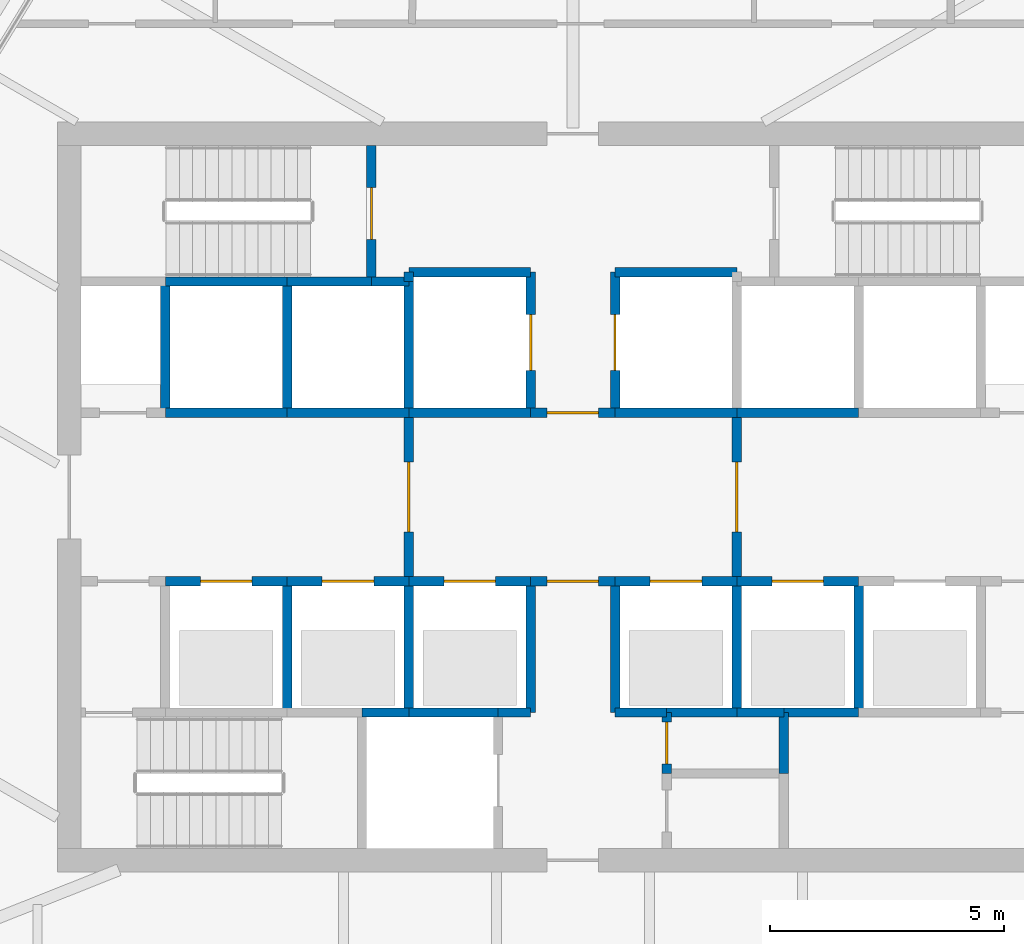
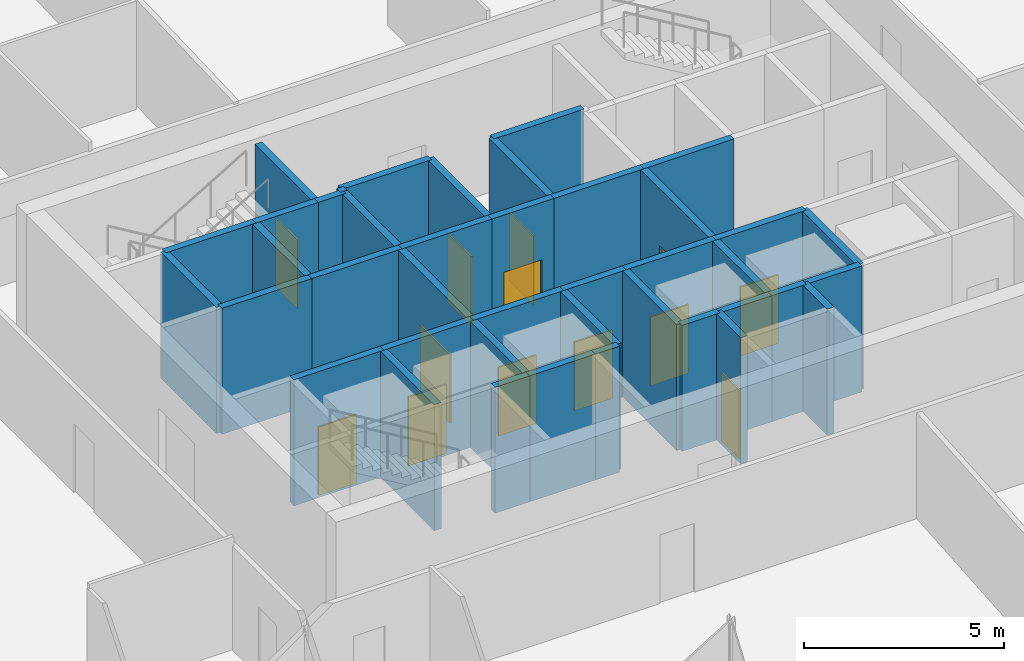
# One storey, part 10 of 18: 41 walls, 13 doors, 13 openings.
"""IFC4 building model written with IfcOpenShell, lengths in metres."""

import ifcopenshell
import ifcopenshell.guid

model = None  # the IFC model being written
_history = None  # IfcOwnerHistory: only IFC2X3 demands one
_inside = {}  # id of a spatial element -> (the spatial element, [elements in it])
_under = {}  # id of a project, library or spatial element -> (it, [spatial elements below it])
_declared = {}  # id of a project -> (the project, [libraries it declares])
_typed = {}  # id of a type object -> (the type object, [elements of that type])
_made_of = {}  # id of a material, layer set ... -> (it, [elements and type objects made of it])


def new_model(schema):
    """Start an empty IFC model of exactly this schema.

    Asked for "IFC4X3", IfcOpenShell would pick the latest addendum, in which some entities
    have other attributes; the version numbers below select the first issue.
    IFC2X3 requires an IfcOwnerHistory on every rooted entity: one is made here for all.
    """
    global model, _history
    if schema == "IFC4X3":
        model = ifcopenshell.file(schema_version=(4, 3, 0, 0))
    else:
        model = ifcopenshell.file(schema=schema)
    _inside.clear()
    _under.clear()
    _declared.clear()
    _typed.clear()
    _made_of.clear()
    _history = None
    if model.schema == "IFC2X3":
        org = make("IfcOrganization", Name="unknown")
        user = make(
            "IfcPersonAndOrganization",
            ThePerson=make("IfcPerson", FamilyName="unknown"),
            TheOrganization=org,
        )
        app = make(
            "IfcApplication",
            ApplicationDeveloper=org,
            Version="unknown",
            ApplicationFullName="unknown",
            ApplicationIdentifier="unknown",
        )
        _history = make(
            "IfcOwnerHistory",
            OwningUser=user,
            OwningApplication=app,
            ChangeAction="ADDED",
            CreationDate=0,
        )
    return model


def make(cls, **values):
    """One entity of the class cls with the attributes given. An attribute that is None is left unset."""
    return model.create_entity(
        cls, **{name: value for name, value in values.items() if value is not None}
    )


def rooted(cls, **values):
    """An entity with a GlobalId (a new one), such as an element, a storey or a relation."""
    return make(cls, GlobalId=ifcopenshell.guid.new(), OwnerHistory=_history, **values)


def si_unit(unit_type, name, prefix=None):
    """IfcSIUnit, for example si_unit("LENGTHUNIT", "METRE", prefix="MILLI")."""
    return make("IfcSIUnit", UnitType=unit_type, Prefix=prefix, Name=name)


def assignment(units):
    """IfcUnitAssignment: the units of a project."""
    return None if units is None else make("IfcUnitAssignment", Units=units)


def point(xyz):
    """IfcCartesianPoint."""
    return None if xyz is None else make("IfcCartesianPoint", Coordinates=xyz)


def direction(xyz):
    """IfcDirection."""
    return None if xyz is None else make("IfcDirection", DirectionRatios=xyz)


def frame(location, z_axis=None, x_axis=None):
    """IfcAxis2Placement3D, a coordinate frame: its origin and axes. An axis left out is left unset."""
    return make(
        "IfcAxis2Placement3D",
        Location=point(location),
        Axis=direction(z_axis),
        RefDirection=direction(x_axis),
    )


def frame_2d(location, x_axis=None):
    """IfcAxis2Placement2D, a coordinate frame in the plane: its origin and x axis."""
    return make(
        "IfcAxis2Placement2D", Location=point(location), RefDirection=direction(x_axis)
    )


def origin():
    """The frame at (0, 0, 0) with its axes left unset."""
    return frame((0.0, 0.0, 0.0))


def place(relative_to, where):
    """IfcLocalPlacement: puts the frame where relative to a parent placement (None: the world)."""
    return make(
        "IfcLocalPlacement", PlacementRelTo=relative_to, RelativePlacement=where
    )


def context(
    kind, dimensions, precision=None, world=None, true_north=None, identifier=None
):
    """IfcGeometricRepresentationContext, for example the 3D "Model" context."""
    return make(
        "IfcGeometricRepresentationContext",
        ContextIdentifier=identifier,
        ContextType=kind,
        CoordinateSpaceDimension=dimensions,
        Precision=precision,
        WorldCoordinateSystem=world,
        TrueNorth=true_north,
    )


def subcontext(parent, identifier, kind, view, scale=None):
    """IfcGeometricRepresentationSubContext, for example "Body" below "Model"."""
    return make(
        "IfcGeometricRepresentationSubContext",
        ContextIdentifier=identifier,
        ContextType=kind,
        ParentContext=parent,
        TargetScale=scale,
        TargetView=view,
    )


def project(units=None, contexts=None):
    """IfcProject with its units and contexts."""
    return rooted(
        "IfcProject",
        Name="project",
        RepresentationContexts=contexts,
        UnitsInContext=assignment(units),
    )


def spatial(cls, under=None, at=None, **own):
    """A site, building, storey or space (cls), placed at a placement, below another one or the project."""
    s = rooted(cls, ObjectPlacement=at, **own)
    if under is not None:
        _under.setdefault(under.id(), (under, []))[1].append(s)
    return s


def profile(cls, at=None, kind="AREA", **sizes):
    """A parametric profile (cls). Its sizes go by their IFC names, for example OverallWidth=200.0."""
    return make(cls, ProfileType=kind, Position=at, **sizes)


def rectangle(**sizes):
    """IfcRectangleProfileDef."""
    return profile("IfcRectangleProfileDef", **sizes)


def extrude(swept, where, along, depth):
    """IfcExtrudedAreaSolid: the profile swept, set in the frame where, extruded along a direction by depth."""
    return make(
        "IfcExtrudedAreaSolid",
        SweptArea=swept,
        Position=where,
        ExtrudedDirection=direction(along),
        Depth=depth,
    )


def shape(context_of_items, identifier, shape_type, items):
    """IfcShapeRepresentation: the items that make up one representation, for example the "Body"."""
    return make(
        "IfcShapeRepresentation",
        ContextOfItems=context_of_items,
        RepresentationIdentifier=identifier,
        RepresentationType=shape_type,
        Items=items,
    )


def material(Name=None, Category=None):
    """IfcMaterial."""
    return make("IfcMaterial", Name=Name, Category=Category)


def layer(
    of_material, thickness, ventilated=None, Name=None, Category=None, Priority=None
):
    """IfcMaterialLayer: one layer of a wall or slab, of a material (None: an air gap)."""
    return make(
        "IfcMaterialLayer",
        Material=of_material,
        LayerThickness=thickness,
        IsVentilated=ventilated,
        Name=Name,
        Category=Category,
        Priority=Priority,
    )


def layer_set(layers, Name=None):
    """IfcMaterialLayerSet."""
    return make("IfcMaterialLayerSet", MaterialLayers=layers, LayerSetName=Name)


def made_of(thing, what):
    """Note that an element or type object is made of a material, layer set ...; save() writes the relation."""
    if what is not None:
        _made_of.setdefault(what.id(), (what, []))[1].append(thing)
    return thing


def type_object(cls, material=None, **own):
    """A type object (cls), such as IfcWallType, which elements share."""
    return made_of(rooted(cls, **own), material)


def element(
    cls,
    number,
    at=None,
    inside=None,
    cuts=None,
    type_object=None,
    material=None,
    context=None,
    identifier="Body",
    shape_type=None,
    held_by="IfcProductDefinitionShape",
    body=None,
    shapes=None,
    **own,
):
    """One element of the class cls, such as IfcWall. Its Tag is "e" and its number.

    at: its placement. inside: the storey or other place that contains it. cuts: it is an
    opening in that element (IfcRelVoidsElement). A single representation is given by context,
    identifier, shape_type and body (its items); several are given by shapes. held_by: the class
    of the entity that holds the representations. save() writes the other relations.
    """
    e = rooted(cls, Tag="e%d" % number, ObjectPlacement=at, **own)
    if body is not None:
        shapes = [shape(context, identifier, shape_type, body)]
    if shapes is not None:
        e.Representation = make(held_by, Representations=shapes)
    if inside is not None:
        _inside.setdefault(inside.id(), (inside, []))[1].append(e)
    if cuts is not None:
        rooted(
            "IfcRelVoidsElement", RelatingBuildingElement=cuts, RelatedOpeningElement=e
        )
    if type_object is not None:
        _typed.setdefault(type_object.id(), (type_object, []))[1].append(e)
    return made_of(e, material)


def fill(opening, filler):
    """IfcRelFillsElement: the door or window that sits in an opening."""
    return rooted(
        "IfcRelFillsElement",
        RelatingOpeningElement=opening,
        RelatedBuildingElement=filler,
    )


def aggregate(whole, parts):
    """IfcRelAggregates: a whole, such as a stair, and the parts it consists of."""
    return rooted("IfcRelAggregates", RelatingObject=whole, RelatedObjects=parts)


def save(model, path):
    """Write the relations noted so far, then the file.

    IfcRelAggregates (storeys below a building ...), IfcRelContainedInSpatialStructure (elements
    in a storey), IfcRelDefinesByType, IfcRelAssociatesMaterial and IfcRelDeclares: one each for
    every whole, place, type object, material and project.
    """
    for whole, parts in _under.values():
        aggregate(whole, parts)
    for where, things in _inside.values():
        rooted(
            "IfcRelContainedInSpatialStructure",
            RelatedElements=things,
            RelatingStructure=where,
        )
    for kind, things in _typed.values():
        rooted("IfcRelDefinesByType", RelatedObjects=things, RelatingType=kind)
    for what, things in _made_of.values():
        rooted("IfcRelAssociatesMaterial", RelatedObjects=things, RelatingMaterial=what)
    for by, libraries in _declared.values():
        rooted("IfcRelDeclares", RelatingContext=by, RelatedDefinitions=libraries)
    model.write(path)


model = new_model("IFC4")

# Units and contexts
model_context = context("Model", 3, precision=1e-05, world=origin(), true_north=direction((0.0, 1.0)))
body_context = subcontext(model_context, "Body", "Model", "MODEL_VIEW")
ifc_project = project(units=[si_unit("LENGTHUNIT", "METRE"), si_unit("AREAUNIT", "SQUARE_METRE"), si_unit("VOLUMEUNIT", "CUBIC_METRE"), si_unit("PLANEANGLEUNIT", "RADIAN"), si_unit("MASSUNIT", "GRAM", prefix="KILO")], contexts=[model_context])

# Site, building, storey
site_placement = place(None, origin())
site = spatial("IfcSite", under=ifc_project, at=site_placement, CompositionType="ELEMENT")
building_placement = place(site_placement, origin())
building = spatial("IfcBuilding", under=site, at=building_placement, Name="Sierra Prisma Convention Tower", CompositionType="ELEMENT")
storey_placement = place(building_placement, frame((0.0, 0.0, 205.800048828125)))
storey = spatial("IfcBuildingStorey", under=building, at=storey_placement, Name="L46", CompositionType="ELEMENT", Elevation=205.800048828125)

# Wall, opening, door
ifc_material_1 = material(Name="Concrete C30/37", Category="concrete")
ifc_layer = layer(ifc_material_1, 0.199951171875)
ifc_layer_set = layer_set([ifc_layer], Name="Core wall RC 200 C30/37")
wall_type = type_object("IfcWallType", Name="Core wall RC 200 C30/37", PredefinedType="SOLIDWALL", material=ifc_layer_set)
wall_1_placement = place(storey_placement, frame((-8.699951171875, -1.800048828125, 0.0), z_axis=(0.0, 0.0, 1.0), x_axis=(1.0, 0.0, 0.0)))
wall_1 = element("IfcWall", 1, at=wall_1_placement, inside=storey, type_object=wall_type, Name="Core wall L46 7", PredefinedType="SOLIDWALL", context=body_context, shape_type="SweptSolid", body=[
    extrude(rectangle(XDim=2.599853515625, YDim=0.199951171875, at=frame_2d((1.2998046875, 0.0))), origin(), (0.0, 0.0, 1.0), 3.849853515625),
])
opening_1_placement = place(wall_1_placement, frame((0.75, 0.0, 0.0)))
opening_1 = element("IfcOpeningElement", 2, at=opening_1_placement, cuts=wall_1, Name="Opening L46-D004", PredefinedType="OPENING", context=body_context, shape_type="SweptSolid", body=[
    extrude(rectangle(XDim=1.10009765625, YDim=2.10009765625, at=frame_2d((0.550048828125, 1.050048828125))), frame((0.0, 0.10009765625, 0.0), z_axis=(0.0, -1.0, 0.0), x_axis=(1.0, 0.0, 0.0)), (0.0, 0.0, 1.0), 0.199951171875),
])
ifc_material_2 = material(Name="Steel fire door leaf", Category="steel")
door_type_1 = type_object("IfcDoorType", Name="Door 1100x2100 EI 90 sliding lift landing", OperationType="SLIDING_TO_LEFT", PredefinedType="DOOR", material=ifc_material_2)
door_1_placement = place(opening_1_placement, origin())
door_1 = element("IfcDoor", 3, at=door_1_placement, inside=storey, type_object=door_type_1, Name="Door L46 14", OperationType="SLIDING_TO_RIGHT", OverallHeight=2.10009765625, OverallWidth=1.10009765625, PredefinedType="DOOR", context=body_context, shape_type="SweptSolid", body=[
    extrude(rectangle(XDim=1.10009765625, YDim=2.10009765625, at=frame_2d((0.550048828125, 1.050048828125))), frame((0.0, 0.02490234375, 0.0), z_axis=(0.0, -1.0, 0.0), x_axis=(1.0, 0.0, 0.0)), (0.0, 0.0, 1.0), 0.050048828125),
])
fill(opening_1, door_1)

# Walls
wall_2_placement = place(storey_placement, frame((-6.10009765625, 1.800048828125, 0.0), z_axis=(0.0, 0.0, 1.0), x_axis=(-1.0, 0.0, 0.0)))
element("IfcWall", 4, at=wall_2_placement, inside=storey, type_object=wall_type, Name="Core wall L46 8", PredefinedType="SOLIDWALL", context=body_context, shape_type="SweptSolid", body=[
    extrude(rectangle(XDim=2.599853515625, YDim=0.199951171875, at=frame_2d((1.2998046875, 0.0))), origin(), (0.0, 0.0, 1.0), 3.849853515625),
])
wall_3_placement = place(storey_placement, frame((-8.699951171875, 1.800048828125, 0.0), z_axis=(0.0, 0.0, 1.0), x_axis=(0.0, 1.0, 0.0)))
element("IfcWall", 5, at=wall_3_placement, inside=storey, type_object=wall_type, Name="Core wall L46 9", PredefinedType="SOLIDWALL", context=body_context, shape_type="SweptSolid", body=[
    extrude(rectangle(XDim=2.800048828125, YDim=0.199951171875, at=frame_2d((1.39990234375, 0.0))), origin(), (0.0, 0.0, 1.0), 3.849853515625),
])
wall_4_placement = place(storey_placement, frame((-6.10009765625, 4.60009765625, 0.0), z_axis=(0.0, 0.0, 1.0), x_axis=(-1.0, 0.0, 0.0)))
element("IfcWall", 6, at=wall_4_placement, inside=storey, type_object=wall_type, Name="Core wall L46 10", PredefinedType="SOLIDWALL", context=body_context, shape_type="SweptSolid", body=[
    extrude(rectangle(XDim=2.599853515625, YDim=0.199951171875, at=frame_2d((1.2998046875, 0.0))), origin(), (0.0, 0.0, 1.0), 3.849853515625),
])
wall_5_placement = place(storey_placement, frame((-6.10009765625, -4.60009765625, 0.0), z_axis=(0.0, 0.0, 1.0), x_axis=(0.0, 1.0, 0.0)))
element("IfcWall", 7, at=wall_5_placement, inside=storey, type_object=wall_type, Name="Core wall L46 12", PredefinedType="SOLIDWALL", context=body_context, shape_type="SweptSolid", body=[
    extrude(rectangle(XDim=2.800048828125, YDim=0.199951171875, at=frame_2d((1.39990234375, 0.0))), origin(), (0.0, 0.0, 1.0), 3.849853515625),
])

# Wall, opening, door
wall_6_placement = place(storey_placement, frame((-6.10009765625, -1.800048828125, 0.0), z_axis=(0.0, 0.0, 1.0), x_axis=(1.0, 0.0, 0.0)))
wall_6 = element("IfcWall", 8, at=wall_6_placement, inside=storey, type_object=wall_type, Name="Core wall L46 13", PredefinedType="SOLIDWALL", context=body_context, shape_type="SweptSolid", body=[
    extrude(rectangle(XDim=2.60009765625, YDim=0.199951171875, at=frame_2d((1.300048828125, 0.0))), origin(), (0.0, 0.0, 1.0), 3.849853515625),
])
opening_2_placement = place(wall_6_placement, frame((0.75, 0.0, 0.0)))
opening_2 = element("IfcOpeningElement", 9, at=opening_2_placement, cuts=wall_6, Name="Opening L46-D005", PredefinedType="OPENING", context=body_context, shape_type="SweptSolid", body=[
    extrude(rectangle(XDim=1.10009765625, YDim=2.10009765625, at=frame_2d((0.550048828125, 1.050048828125))), frame((0.0, 0.10009765625, 0.0), z_axis=(0.0, -1.0, 0.0), x_axis=(1.0, 0.0, 0.0)), (0.0, 0.0, 1.0), 0.199951171875),
])
door_2_placement = place(opening_2_placement, origin())
door_2 = element("IfcDoor", 10, at=door_2_placement, inside=storey, type_object=door_type_1, Name="Door L46 15", OperationType="SLIDING_TO_RIGHT", OverallHeight=2.10009765625, OverallWidth=1.10009765625, PredefinedType="DOOR", context=body_context, shape_type="SweptSolid", body=[
    extrude(rectangle(XDim=1.10009765625, YDim=2.10009765625, at=frame_2d((0.550048828125, 1.050048828125))), frame((0.0, 0.02490234375, 0.0), z_axis=(0.0, -1.0, 0.0), x_axis=(1.0, 0.0, 0.0)), (0.0, 0.0, 1.0), 0.050048828125),
])
fill(opening_2, door_2)

# Walls
wall_7_placement = place(storey_placement, frame((-3.5, 1.800048828125, 0.0), z_axis=(0.0, 0.0, 1.0), x_axis=(-1.0, 0.0, 0.0)))
element("IfcWall", 11, at=wall_7_placement, inside=storey, type_object=wall_type, Name="Core wall L46 14", PredefinedType="SOLIDWALL", context=body_context, shape_type="SweptSolid", body=[
    extrude(rectangle(XDim=2.60009765625, YDim=0.199951171875, at=frame_2d((1.300048828125, 0.0))), origin(), (0.0, 0.0, 1.0), 3.849853515625),
])
wall_8_placement = place(storey_placement, frame((-6.10009765625, 1.800048828125, 0.0), z_axis=(0.0, 0.0, 1.0), x_axis=(0.0, 1.0, 0.0)))
element("IfcWall", 12, at=wall_8_placement, inside=storey, type_object=wall_type, Name="Core wall L46 15", PredefinedType="SOLIDWALL", context=body_context, shape_type="SweptSolid", body=[
    extrude(rectangle(XDim=2.800048828125, YDim=0.199951171875, at=frame_2d((1.39990234375, 0.0))), origin(), (0.0, 0.0, 1.0), 3.849853515625),
])
wall_9_placement = place(storey_placement, frame((-4.300048828125, 4.60009765625, 0.0), z_axis=(0.0, 0.0, 1.0), x_axis=(-1.0, 0.0, 0.0)))
element("IfcWall", 13, at=wall_9_placement, inside=storey, type_object=wall_type, Name="Core wall L46 16", PredefinedType="SOLIDWALL", context=body_context, shape_type="SweptSolid", body=[
    extrude(rectangle(XDim=1.800048828125, YDim=0.199951171875, at=frame_2d((0.89990234375, 0.0))), origin(), (0.0, 0.0, 1.0), 3.849853515625),
])
wall_10_placement = place(storey_placement, frame((-4.5, -4.60009765625, 0.0), z_axis=(0.0, 0.0, 1.0), x_axis=(1.0, 0.0, 0.0)))
element("IfcWall", 14, at=wall_10_placement, inside=storey, type_object=wall_type, Name="Core wall L46 18", PredefinedType="SOLIDWALL", context=body_context, shape_type="SweptSolid", body=[
    extrude(rectangle(XDim=1.0, YDim=0.199951171875, at=frame_2d((0.5, 0.0))), origin(), (0.0, 0.0, 1.0), 3.849853515625),
])
wall_11_placement = place(storey_placement, frame((-3.5, 4.60009765625, 0.0), z_axis=(0.0, 0.0, 1.0), x_axis=(-1.0, 0.0, 0.0)))
element("IfcWall", 15, at=wall_11_placement, inside=storey, type_object=wall_type, Name="Core wall L46 19", PredefinedType="SOLIDWALL", context=body_context, shape_type="SweptSolid", body=[
    extrude(rectangle(XDim=0.800048828125, YDim=0.199951171875, at=frame_2d((0.39990234375, 0.0))), origin(), (0.0, 0.0, 1.0), 3.849853515625),
])

# Wall, opening, door
wall_12_placement = place(storey_placement, frame((-4.300048828125, 4.60009765625, 0.0), z_axis=(0.0, 0.0, 1.0), x_axis=(0.0, 1.0, 0.0)))
wall_12 = element("IfcWall", 16, at=wall_12_placement, inside=storey, type_object=wall_type, Name="Core wall L46 20", PredefinedType="SOLIDWALL", context=body_context, shape_type="SweptSolid", body=[
    extrude(rectangle(XDim=2.89990234375, YDim=0.199951171875, at=frame_2d((1.449951171875, 0.0))), origin(), (0.0, 0.0, 1.0), 3.849853515625),
])
opening_3_placement = place(wall_12_placement, frame((0.89990234375, 0.0, 0.0)))
opening_3 = element("IfcOpeningElement", 17, at=opening_3_placement, cuts=wall_12, Name="Opening L46-D021", PredefinedType="OPENING", context=body_context, shape_type="SweptSolid", body=[
    extrude(rectangle(XDim=1.10009765625, YDim=2.10009765625, at=frame_2d((0.550048828125, 1.050048828125))), frame((0.0, 0.10009765625, 0.0), z_axis=(0.0, -1.0, 0.0), x_axis=(1.0, 0.0, 0.0)), (0.0, 0.0, 1.0), 0.199951171875),
])
ifc_material_3 = material(Name="Steel fire door leaf", Category="steel")
door_type_2 = type_object("IfcDoorType", Name="Door 1100x2100 FD90S", OperationType="SINGLE_SWING_LEFT", PredefinedType="DOOR", material=ifc_material_3)
door_3_placement = place(opening_3_placement, origin())
door_3 = element("IfcDoor", 18, at=door_3_placement, inside=storey, type_object=door_type_2, Name="Door L46 31", OperationType="SINGLE_SWING_RIGHT", OverallHeight=2.10009765625, OverallWidth=1.10009765625, PredefinedType="DOOR", context=body_context, shape_type="SweptSolid", body=[
    extrude(rectangle(XDim=1.10009765625, YDim=2.10009765625, at=frame_2d((0.550048828125, 1.050048828125))), frame((0.0, 0.02490234375, 0.0), z_axis=(0.0, -1.0, 0.0), x_axis=(1.0, 0.0, 0.0)), (0.0, 0.0, 1.0), 0.050048828125),
])
fill(opening_3, door_3)

# Walls
wall_13_placement = place(storey_placement, frame((-3.5, -4.60009765625, 0.0), z_axis=(0.0, 0.0, 1.0), x_axis=(1.0, 0.0, 0.0)))
element("IfcWall", 19, at=wall_13_placement, inside=storey, type_object=wall_type, Name="Core wall L46 21", PredefinedType="SOLIDWALL", context=body_context, shape_type="SweptSolid", body=[
    extrude(rectangle(XDim=1.89990234375, YDim=0.199951171875, at=frame_2d((0.949951171875, 0.0))), origin(), (0.0, 0.0, 1.0), 3.849853515625),
])
wall_14_placement = place(storey_placement, frame((-3.5, -4.60009765625, 0.0), z_axis=(0.0, 0.0, 1.0), x_axis=(0.0, 1.0, 0.0)))
element("IfcWall", 20, at=wall_14_placement, inside=storey, type_object=wall_type, Name="Core wall L46 22", PredefinedType="SOLIDWALL", context=body_context, shape_type="SweptSolid", body=[
    extrude(rectangle(XDim=2.800048828125, YDim=0.199951171875, at=frame_2d((1.39990234375, 0.0))), origin(), (0.0, 0.0, 1.0), 3.849853515625),
])

# Wall, opening, door
wall_15_placement = place(storey_placement, frame((-3.5, -1.800048828125, 0.0), z_axis=(0.0, 0.0, 1.0), x_axis=(1.0, 0.0, 0.0)))
wall_15 = element("IfcWall", 21, at=wall_15_placement, inside=storey, type_object=wall_type, Name="Core wall L46 23", PredefinedType="SOLIDWALL", context=body_context, shape_type="SweptSolid", body=[
    extrude(rectangle(XDim=2.60009765625, YDim=0.199951171875, at=frame_2d((1.300048828125, 0.0))), origin(), (0.0, 0.0, 1.0), 3.849853515625),
])
opening_4_placement = place(wall_15_placement, frame((0.75, 0.0, 0.0)))
opening_4 = element("IfcOpeningElement", 22, at=opening_4_placement, cuts=wall_15, Name="Opening L46-D006", PredefinedType="OPENING", context=body_context, shape_type="SweptSolid", body=[
    extrude(rectangle(XDim=1.10009765625, YDim=2.10009765625, at=frame_2d((0.550048828125, 1.050048828125))), frame((0.0, 0.10009765625, 0.0), z_axis=(0.0, -1.0, 0.0), x_axis=(1.0, 0.0, 0.0)), (0.0, 0.0, 1.0), 0.199951171875),
])
door_4_placement = place(opening_4_placement, origin())
door_4 = element("IfcDoor", 23, at=door_4_placement, inside=storey, type_object=door_type_1, Name="Door L46 16", OperationType="SLIDING_TO_RIGHT", OverallHeight=2.10009765625, OverallWidth=1.10009765625, PredefinedType="DOOR", context=body_context, shape_type="SweptSolid", body=[
    extrude(rectangle(XDim=1.10009765625, YDim=2.10009765625, at=frame_2d((0.550048828125, 1.050048828125))), frame((0.0, 0.02490234375, 0.0), z_axis=(0.0, -1.0, 0.0), x_axis=(1.0, 0.0, 0.0)), (0.0, 0.0, 1.0), 0.050048828125),
])
fill(opening_4, door_4)

wall_16_placement = place(storey_placement, frame((-3.5, 1.800048828125, 0.0), z_axis=(0.0, 0.0, 1.0), x_axis=(0.0, -1.0, 0.0)))
wall_16 = element("IfcWall", 24, at=wall_16_placement, inside=storey, type_object=wall_type, Name="Core wall L46 24", PredefinedType="SOLIDWALL", context=body_context, shape_type="SweptSolid", body=[
    extrude(rectangle(XDim=3.60009765625, YDim=0.199951171875, at=frame_2d((1.800048828125, 0.0))), origin(), (0.0, 0.0, 1.0), 3.849853515625),
])
opening_5_placement = place(wall_16_placement, frame((1.050048828125, 0.0, 0.0)))
opening_5 = element("IfcOpeningElement", 25, at=opening_5_placement, cuts=wall_16, Name="Opening L46-D013", PredefinedType="OPENING", context=body_context, shape_type="SweptSolid", body=[
    extrude(rectangle(XDim=1.5, YDim=2.10009765625, at=frame_2d((0.75, 1.050048828125))), frame((0.0, 0.10009765625, 0.0), z_axis=(0.0, -1.0, 0.0), x_axis=(1.0, 0.0, 0.0)), (0.0, 0.0, 1.0), 0.199951171875),
])
ifc_material_4 = material(Name="Steel fire door leaf", Category="steel")
door_type_3 = type_object("IfcDoorType", Name="Door 1500x2100 FD30S", OperationType="DOUBLE_DOOR_SINGLE_SWING", PredefinedType="DOOR", material=ifc_material_4)
door_5_placement = place(opening_5_placement, origin())
door_5 = element("IfcDoor", 26, at=door_5_placement, inside=storey, type_object=door_type_3, Name="Door L46 23", OperationType="DOUBLE_DOOR_SINGLE_SWING", OverallHeight=2.10009765625, OverallWidth=1.5, PredefinedType="DOOR", context=body_context, shape_type="SweptSolid", body=[
    extrude(rectangle(XDim=1.5, YDim=2.10009765625, at=frame_2d((0.75, 1.050048828125))), frame((0.0, 0.02490234375, 0.0), z_axis=(0.0, -1.0, 0.0), x_axis=(1.0, 0.0, 0.0)), (0.0, 0.0, 1.0), 0.050048828125),
])
fill(opening_5, door_5)

# Walls
wall_17_placement = place(storey_placement, frame((-0.89990234375, 1.800048828125, 0.0), z_axis=(0.0, 0.0, 1.0), x_axis=(-1.0, 0.0, 0.0)))
element("IfcWall", 27, at=wall_17_placement, inside=storey, type_object=wall_type, Name="Core wall L46 25", PredefinedType="SOLIDWALL", context=body_context, shape_type="SweptSolid", body=[
    extrude(rectangle(XDim=2.60009765625, YDim=0.199951171875, at=frame_2d((1.300048828125, 0.0))), origin(), (0.0, 0.0, 1.0), 3.849853515625),
])
wall_18_placement = place(storey_placement, frame((-3.5, 4.60009765625, 0.0), z_axis=(0.0, 0.0, 1.0), x_axis=(0.0, -1.0, 0.0)))
element("IfcWall", 28, at=wall_18_placement, inside=storey, type_object=wall_type, Name="Core wall L46 26", PredefinedType="SOLIDWALL", context=body_context, shape_type="SweptSolid", body=[
    extrude(rectangle(XDim=2.800048828125, YDim=0.199951171875, at=frame_2d((1.39990234375, 0.0))), origin(), (0.0, 0.0, 1.0), 3.849853515625),
])

# Wall, opening, door
wall_19_placement = place(storey_placement, frame((-0.89990234375, 1.800048828125, 0.0), z_axis=(0.0, 0.0, 1.0), x_axis=(0.0, 1.0, 0.0)))
wall_19 = element("IfcWall", 29, at=wall_19_placement, inside=storey, type_object=wall_type, Name="Core wall L46 27", PredefinedType="SOLIDWALL", context=body_context, shape_type="SweptSolid", body=[
    extrude(rectangle(XDim=3.0, YDim=0.199951171875, at=frame_2d((1.5, 0.0))), origin(), (0.0, 0.0, 1.0), 3.849853515625),
])
opening_6_placement = place(wall_19_placement, frame((0.89990234375, 0.0, 0.0)))
opening_6 = element("IfcOpeningElement", 30, at=opening_6_placement, cuts=wall_19, Name="Opening L46-D010", PredefinedType="OPENING", context=body_context, shape_type="SweptSolid", body=[
    extrude(rectangle(XDim=1.199951171875, YDim=2.10009765625, at=frame_2d((0.60009765625, 1.050048828125))), frame((0.0, 0.10009765625, 0.0), z_axis=(0.0, -1.0, 0.0), x_axis=(1.0, 0.0, 0.0)), (0.0, 0.0, 1.0), 0.199951171875),
])
ifc_material_5 = material(Name="Steel fire door leaf", Category="steel")
door_type_4 = type_object("IfcDoorType", Name="Door 1200x2100 EI 90 sliding lift landing", OperationType="SLIDING_TO_LEFT", PredefinedType="DOOR", material=ifc_material_5)
door_6_placement = place(opening_6_placement, origin())
door_6 = element("IfcDoor", 31, at=door_6_placement, inside=storey, type_object=door_type_4, Name="Door L46 20", OperationType="SLIDING_TO_LEFT", OverallHeight=2.10009765625, OverallWidth=1.199951171875, PredefinedType="DOOR", context=body_context, shape_type="SweptSolid", body=[
    extrude(rectangle(XDim=1.199951171875, YDim=2.10009765625, at=frame_2d((0.60009765625, 1.050048828125))), frame((0.0, 0.02490234375, 0.0), z_axis=(0.0, -1.0, 0.0), x_axis=(1.0, 0.0, 0.0)), (0.0, 0.0, 1.0), 0.050048828125),
])
fill(opening_6, door_6)

# Walls
wall_20_placement = place(storey_placement, frame((-0.89990234375, 4.800048828125, 0.0), z_axis=(0.0, 0.0, 1.0), x_axis=(-1.0, 0.0, 0.0)))
element("IfcWall", 32, at=wall_20_placement, inside=storey, type_object=wall_type, Name="Core wall L46 28", PredefinedType="SOLIDWALL", context=body_context, shape_type="SweptSolid", body=[
    extrude(rectangle(XDim=2.60009765625, YDim=0.199951171875, at=frame_2d((1.300048828125, 0.0))), origin(), (0.0, 0.0, 1.0), 3.849853515625),
])
wall_21_placement = place(storey_placement, frame((-3.5, 4.800048828125, 0.0), z_axis=(0.0, 0.0, 1.0), x_axis=(0.0, -1.0, 0.0)))
element("IfcWall", 33, at=wall_21_placement, inside=storey, type_object=wall_type, Name="Core wall L46 29", PredefinedType="SOLIDWALL", context=body_context, shape_type="SweptSolid", body=[
    extrude(rectangle(XDim=0.199951171875, YDim=0.199951171875, at=frame_2d((0.10009765625, 0.0))), origin(), (0.0, 0.0, 1.0), 3.849853515625),
])
wall_22_placement = place(storey_placement, frame((-1.60009765625, -4.60009765625, 0.0), z_axis=(0.0, 0.0, 1.0), x_axis=(1.0, 0.0, 0.0)))
element("IfcWall", 34, at=wall_22_placement, inside=storey, type_object=wall_type, Name="Core wall L46 31", PredefinedType="SOLIDWALL", context=body_context, shape_type="SweptSolid", body=[
    extrude(rectangle(XDim=0.7001953125, YDim=0.199951171875, at=frame_2d((0.35009765625, 0.0))), origin(), (0.0, 0.0, 1.0), 3.849853515625),
])
wall_23_placement = place(storey_placement, frame((-0.89990234375, -4.60009765625, 0.0), z_axis=(0.0, 0.0, 1.0), x_axis=(0.0, 1.0, 0.0)))
element("IfcWall", 35, at=wall_23_placement, inside=storey, type_object=wall_type, Name="Core wall L46 32", PredefinedType="SOLIDWALL", context=body_context, shape_type="SweptSolid", body=[
    extrude(rectangle(XDim=2.800048828125, YDim=0.199951171875, at=frame_2d((1.39990234375, 0.0))), origin(), (0.0, 0.0, 1.0), 3.849853515625),
])

# Wall, opening, door
wall_24_placement = place(storey_placement, frame((-0.89990234375, -1.800048828125, 0.0), z_axis=(0.0, 0.0, 1.0), x_axis=(1.0, 0.0, 0.0)))
wall_24 = element("IfcWall", 36, at=wall_24_placement, inside=storey, type_object=wall_type, Name="Core wall L46 33", PredefinedType="SOLIDWALL", context=body_context, shape_type="SweptSolid", body=[
    extrude(rectangle(XDim=1.7998046875, YDim=0.199951171875, at=frame_2d((0.89990234375, 0.0))), origin(), (0.0, 0.0, 1.0), 3.849853515625),
])
opening_7_placement = place(wall_24_placement, frame((0.35009765625, 0.0, 0.0)))
opening_7 = element("IfcOpeningElement", 37, at=opening_7_placement, cuts=wall_24, Name="Opening L46-D017", PredefinedType="OPENING", context=body_context, shape_type="SweptSolid", body=[
    extrude(rectangle(XDim=1.10009765625, YDim=2.10009765625, at=frame_2d((0.550048828125, 1.050048828125))), frame((0.0, 0.10009765625, 0.0), z_axis=(0.0, -1.0, 0.0), x_axis=(1.0, 0.0, 0.0)), (0.0, 0.0, 1.0), 0.199951171875),
])
ifc_material_6 = material(Name="Steel fire door leaf", Category="steel")
door_type_5 = type_object("IfcDoorType", Name="Door 1100x2100 FD30S", OperationType="SINGLE_SWING_LEFT", PredefinedType="DOOR", material=ifc_material_6)
door_7_placement = place(opening_7_placement, origin())
door_7 = element("IfcDoor", 38, at=door_7_placement, inside=storey, type_object=door_type_5, Name="Door L46 27", OperationType="SINGLE_SWING_LEFT", OverallHeight=2.10009765625, OverallWidth=1.10009765625, PredefinedType="DOOR", context=body_context, shape_type="SweptSolid", body=[
    extrude(rectangle(XDim=1.10009765625, YDim=2.10009765625, at=frame_2d((0.550048828125, 1.050048828125))), frame((0.0, 0.02490234375, 0.0), z_axis=(0.0, -1.0, 0.0), x_axis=(1.0, 0.0, 0.0)), (0.0, 0.0, 1.0), 0.050048828125),
])
fill(opening_7, door_7)

wall_25_placement = place(storey_placement, frame((0.89990234375, 1.800048828125, 0.0), z_axis=(0.0, 0.0, 1.0), x_axis=(-1.0, 0.0, 0.0)))
wall_25 = element("IfcWall", 39, at=wall_25_placement, inside=storey, type_object=wall_type, Name="Core wall L46 34", PredefinedType="SOLIDWALL", context=body_context, shape_type="SweptSolid", body=[
    extrude(rectangle(XDim=1.7998046875, YDim=0.199951171875, at=frame_2d((0.89990234375, 0.0))), origin(), (0.0, 0.0, 1.0), 3.849853515625),
])
opening_8_placement = place(wall_25_placement, frame((0.35009765625, 0.0, 0.0)))
opening_8 = element("IfcOpeningElement", 40, at=opening_8_placement, cuts=wall_25, Name="Opening L46-D016", PredefinedType="OPENING", context=body_context, shape_type="SweptSolid", body=[
    extrude(rectangle(XDim=1.10009765625, YDim=2.10009765625, at=frame_2d((0.550048828125, 1.050048828125))), frame((0.0, 0.10009765625, 0.0), z_axis=(0.0, -1.0, 0.0), x_axis=(1.0, 0.0, 0.0)), (0.0, 0.0, 1.0), 0.199951171875),
])
ifc_material_7 = material(Name="Steel fire door leaf", Category="steel")
door_type_6 = type_object("IfcDoorType", Name="Door 1100x2100 FD60S", OperationType="SINGLE_SWING_LEFT", PredefinedType="DOOR", material=ifc_material_7)
door_8_placement = place(opening_8_placement, origin())
door_8 = element("IfcDoor", 41, at=door_8_placement, inside=storey, type_object=door_type_6, Name="Door L46 26", OperationType="SINGLE_SWING_RIGHT", OverallHeight=2.10009765625, OverallWidth=1.10009765625, PredefinedType="DOOR", context=body_context, shape_type="SweptSolid", body=[
    extrude(rectangle(XDim=1.10009765625, YDim=2.10009765625, at=frame_2d((0.550048828125, 1.050048828125))), frame((0.0, 0.02490234375, 0.0), z_axis=(0.0, -1.0, 0.0), x_axis=(1.0, 0.0, 0.0)), (0.0, 0.0, 1.0), 0.050048828125),
])
fill(opening_8, door_8)

wall_26_placement = place(storey_placement, frame((0.89990234375, -1.800048828125, 0.0), z_axis=(0.0, 0.0, 1.0), x_axis=(1.0, 0.0, 0.0)))
wall_26 = element("IfcWall", 42, at=wall_26_placement, inside=storey, type_object=wall_type, Name="Core wall L46 35", PredefinedType="SOLIDWALL", context=body_context, shape_type="SweptSolid", body=[
    extrude(rectangle(XDim=2.60009765625, YDim=0.199951171875, at=frame_2d((1.300048828125, 0.0))), origin(), (0.0, 0.0, 1.0), 3.849853515625),
])
opening_9_placement = place(wall_26_placement, frame((0.75, 0.0, 0.0)))
opening_9 = element("IfcOpeningElement", 43, at=opening_9_placement, cuts=wall_26, Name="Opening L46-D007", PredefinedType="OPENING", context=body_context, shape_type="SweptSolid", body=[
    extrude(rectangle(XDim=1.10009765625, YDim=2.10009765625, at=frame_2d((0.550048828125, 1.050048828125))), frame((0.0, 0.10009765625, 0.0), z_axis=(0.0, -1.0, 0.0), x_axis=(1.0, 0.0, 0.0)), (0.0, 0.0, 1.0), 0.199951171875),
])
door_9_placement = place(opening_9_placement, origin())
door_9 = element("IfcDoor", 44, at=door_9_placement, inside=storey, type_object=door_type_1, Name="Door L46 17", OperationType="SLIDING_TO_LEFT", OverallHeight=2.10009765625, OverallWidth=1.10009765625, PredefinedType="DOOR", context=body_context, shape_type="SweptSolid", body=[
    extrude(rectangle(XDim=1.10009765625, YDim=2.10009765625, at=frame_2d((0.550048828125, 1.050048828125))), frame((0.0, 0.02490234375, 0.0), z_axis=(0.0, -1.0, 0.0), x_axis=(1.0, 0.0, 0.0)), (0.0, 0.0, 1.0), 0.050048828125),
])
fill(opening_9, door_9)

# Walls
wall_27_placement = place(storey_placement, frame((0.89990234375, -1.800048828125, 0.0), z_axis=(0.0, 0.0, 1.0), x_axis=(0.0, -1.0, 0.0)))
element("IfcWall", 45, at=wall_27_placement, inside=storey, type_object=wall_type, Name="Core wall L46 36", PredefinedType="SOLIDWALL", context=body_context, shape_type="SweptSolid", body=[
    extrude(rectangle(XDim=2.800048828125, YDim=0.199951171875, at=frame_2d((1.39990234375, 0.0))), origin(), (0.0, 0.0, 1.0), 3.849853515625),
])
wall_28_placement = place(storey_placement, frame((0.89990234375, -4.60009765625, 0.0), z_axis=(0.0, 0.0, 1.0), x_axis=(1.0, 0.0, 0.0)))
element("IfcWall", 46, at=wall_28_placement, inside=storey, type_object=wall_type, Name="Core wall L46 37", PredefinedType="SOLIDWALL", context=body_context, shape_type="SweptSolid", body=[
    extrude(rectangle(XDim=1.10009765625, YDim=0.199951171875, at=frame_2d((0.550048828125, 0.0))), origin(), (0.0, 0.0, 1.0), 3.849853515625),
])
for number, where, z_axis, x_axis, name in (
    (47, (3.5, 1.800048828125, 0.0), (0.0, 0.0, 1.0), (-1.0, 0.0, 0.0), "Core wall L46 38"),
    (48, (3.5, 4.800048828125, 0.0), (0.0, 0.0, 1.0), (-1.0, 0.0, 0.0), "Core wall L46 40"),
):
    element("IfcWall", number, at=place(storey_placement, frame(where, z_axis=z_axis, x_axis=x_axis)), inside=storey, type_object=wall_type, Name=name, PredefinedType="SOLIDWALL", context=body_context, shape_type="SweptSolid", body=[
        extrude(rectangle(XDim=2.60009765625, YDim=0.199951171875, at=frame_2d((1.300048828125, 0.0))), origin(), (0.0, 0.0, 1.0), 3.849853515625),
    ])

# Wall, opening, door
wall_29_placement = place(storey_placement, frame((0.89990234375, 4.800048828125, 0.0), z_axis=(0.0, 0.0, 1.0), x_axis=(0.0, -1.0, 0.0)))
wall_29 = element("IfcWall", 49, at=wall_29_placement, inside=storey, type_object=wall_type, Name="Core wall L46 41", PredefinedType="SOLIDWALL", context=body_context, shape_type="SweptSolid", body=[
    extrude(rectangle(XDim=3.0, YDim=0.199951171875, at=frame_2d((1.5, 0.0))), origin(), (0.0, 0.0, 1.0), 3.849853515625),
])
opening_10_placement = place(wall_29_placement, frame((0.89990234375, 0.0, 0.0)))
opening_10 = element("IfcOpeningElement", 50, at=opening_10_placement, cuts=wall_29, Name="Opening L46-D011", PredefinedType="OPENING", context=body_context, shape_type="SweptSolid", body=[
    extrude(rectangle(XDim=1.199951171875, YDim=2.10009765625, at=frame_2d((0.60009765625, 1.050048828125))), frame((0.0, 0.10009765625, 0.0), z_axis=(0.0, -1.0, 0.0), x_axis=(1.0, 0.0, 0.0)), (0.0, 0.0, 1.0), 0.199951171875),
])
door_10_placement = place(opening_10_placement, origin())
door_10 = element("IfcDoor", 51, at=door_10_placement, inside=storey, type_object=door_type_4, Name="Door L46 21", OperationType="SLIDING_TO_RIGHT", OverallHeight=2.10009765625, OverallWidth=1.199951171875, PredefinedType="DOOR", context=body_context, shape_type="SweptSolid", body=[
    extrude(rectangle(XDim=1.199951171875, YDim=2.10009765625, at=frame_2d((0.60009765625, 1.050048828125))), frame((0.0, 0.02490234375, 0.0), z_axis=(0.0, -1.0, 0.0), x_axis=(1.0, 0.0, 0.0)), (0.0, 0.0, 1.0), 0.050048828125),
])
fill(opening_10, door_10)

wall_30_placement = place(storey_placement, frame((2.0, -4.60009765625, 0.0), z_axis=(0.0, 0.0, 1.0), x_axis=(0.0, -1.0, 0.0)))
wall_30 = element("IfcWall", 52, at=wall_30_placement, inside=storey, type_object=wall_type, Name="Core wall L46 44", PredefinedType="SOLIDWALL", context=body_context, shape_type="SweptSolid", body=[
    extrude(rectangle(XDim=1.2998046875, YDim=0.199951171875, at=frame_2d((0.64990234375, 0.0))), origin(), (0.0, 0.0, 1.0), 3.849853515625),
])
opening_11_placement = place(wall_30_placement, frame((0.199951171875, 0.0, 0.0)))
opening_11 = element("IfcOpeningElement", 53, at=opening_11_placement, cuts=wall_30, Name="Opening L46-D026", PredefinedType="OPENING", context=body_context, shape_type="SweptSolid", body=[
    extrude(rectangle(XDim=0.89990234375, YDim=2.10009765625, at=frame_2d((0.449951171875, 1.050048828125))), frame((0.0, 0.10009765625, 0.0), z_axis=(0.0, -1.0, 0.0), x_axis=(1.0, 0.0, 0.0)), (0.0, 0.0, 1.0), 0.199951171875),
])
ifc_material_8 = material(Name="Steel fire door leaf", Category="steel")
door_type_7 = type_object("IfcDoorType", Name="Door 900x2100 FD30S", OperationType="SINGLE_SWING_LEFT", PredefinedType="DOOR", material=ifc_material_8)
door_11_placement = place(opening_11_placement, origin())
door_11 = element("IfcDoor", 54, at=door_11_placement, inside=storey, type_object=door_type_7, Name="Door L46 36", OperationType="SINGLE_SWING_LEFT", OverallHeight=2.10009765625, OverallWidth=0.89990234375, PredefinedType="DOOR", context=body_context, shape_type="SweptSolid", body=[
    extrude(rectangle(XDim=0.89990234375, YDim=2.10009765625, at=frame_2d((0.449951171875, 1.050048828125))), frame((0.0, 0.02490234375, 0.0), z_axis=(0.0, -1.0, 0.0), x_axis=(1.0, 0.0, 0.0)), (0.0, 0.0, 1.0), 0.050048828125),
])
fill(opening_11, door_11)

# Walls
wall_31_placement = place(storey_placement, frame((3.5, -4.60009765625, 0.0), z_axis=(0.0, 0.0, 1.0), x_axis=(-1.0, 0.0, 0.0)))
element("IfcWall", 55, at=wall_31_placement, inside=storey, type_object=wall_type, Name="Core wall L46 45", PredefinedType="SOLIDWALL", context=body_context, shape_type="SweptSolid", body=[
    extrude(rectangle(XDim=1.5, YDim=0.199951171875, at=frame_2d((0.75, 0.0))), origin(), (0.0, 0.0, 1.0), 3.849853515625),
])
wall_32_placement = place(storey_placement, frame((4.5, -4.60009765625, 0.0), z_axis=(0.0, 0.0, 1.0), x_axis=(-1.0, 0.0, 0.0)))
element("IfcWall", 56, at=wall_32_placement, inside=storey, type_object=wall_type, Name="Core wall L46 46", PredefinedType="SOLIDWALL", context=body_context, shape_type="SweptSolid", body=[
    extrude(rectangle(XDim=1.0, YDim=0.199951171875, at=frame_2d((0.5, 0.0))), origin(), (0.0, 0.0, 1.0), 3.849853515625),
])
wall_33_placement = place(storey_placement, frame((3.5, -4.60009765625, 0.0), z_axis=(0.0, 0.0, 1.0), x_axis=(0.0, 1.0, 0.0)))
element("IfcWall", 57, at=wall_33_placement, inside=storey, type_object=wall_type, Name="Core wall L46 47", PredefinedType="SOLIDWALL", context=body_context, shape_type="SweptSolid", body=[
    extrude(rectangle(XDim=2.800048828125, YDim=0.199951171875, at=frame_2d((1.39990234375, 0.0))), origin(), (0.0, 0.0, 1.0), 3.849853515625),
])

# Wall, opening, door
wall_34_placement = place(storey_placement, frame((3.5, -1.800048828125, 0.0), z_axis=(0.0, 0.0, 1.0), x_axis=(1.0, 0.0, 0.0)))
wall_34 = element("IfcWall", 58, at=wall_34_placement, inside=storey, type_object=wall_type, Name="Core wall L46 48", PredefinedType="SOLIDWALL", context=body_context, shape_type="SweptSolid", body=[
    extrude(rectangle(XDim=2.60009765625, YDim=0.199951171875, at=frame_2d((1.300048828125, 0.0))), origin(), (0.0, 0.0, 1.0), 3.849853515625),
])
opening_12_placement = place(wall_34_placement, frame((0.75, 0.0, 0.0)))
opening_12 = element("IfcOpeningElement", 59, at=opening_12_placement, cuts=wall_34, Name="Opening L46-D008", PredefinedType="OPENING", context=body_context, shape_type="SweptSolid", body=[
    extrude(rectangle(XDim=1.10009765625, YDim=2.10009765625, at=frame_2d((0.550048828125, 1.050048828125))), frame((0.0, 0.10009765625, 0.0), z_axis=(0.0, -1.0, 0.0), x_axis=(1.0, 0.0, 0.0)), (0.0, 0.0, 1.0), 0.199951171875),
])
door_12_placement = place(opening_12_placement, origin())
door_12 = element("IfcDoor", 60, at=door_12_placement, inside=storey, type_object=door_type_1, Name="Door L46 18", OperationType="SLIDING_TO_RIGHT", OverallHeight=2.10009765625, OverallWidth=1.10009765625, PredefinedType="DOOR", context=body_context, shape_type="SweptSolid", body=[
    extrude(rectangle(XDim=1.10009765625, YDim=2.10009765625, at=frame_2d((0.550048828125, 1.050048828125))), frame((0.0, 0.02490234375, 0.0), z_axis=(0.0, -1.0, 0.0), x_axis=(1.0, 0.0, 0.0)), (0.0, 0.0, 1.0), 0.050048828125),
])
fill(opening_12, door_12)

wall_35_placement = place(storey_placement, frame((3.5, -1.800048828125, 0.0), z_axis=(0.0, 0.0, 1.0), x_axis=(0.0, 1.0, 0.0)))
wall_35 = element("IfcWall", 61, at=wall_35_placement, inside=storey, type_object=wall_type, Name="Core wall L46 49", PredefinedType="SOLIDWALL", context=body_context, shape_type="SweptSolid", body=[
    extrude(rectangle(XDim=3.60009765625, YDim=0.199951171875, at=frame_2d((1.800048828125, 0.0))), origin(), (0.0, 0.0, 1.0), 3.849853515625),
])
opening_13_placement = place(wall_35_placement, frame((1.050048828125, 0.0, 0.0)))
opening_13 = element("IfcOpeningElement", 62, at=opening_13_placement, cuts=wall_35, Name="Opening L46-D014", PredefinedType="OPENING", context=body_context, shape_type="SweptSolid", body=[
    extrude(rectangle(XDim=1.5, YDim=2.10009765625, at=frame_2d((0.75, 1.050048828125))), frame((0.0, 0.10009765625, 0.0), z_axis=(0.0, -1.0, 0.0), x_axis=(1.0, 0.0, 0.0)), (0.0, 0.0, 1.0), 0.199951171875),
])
door_13_placement = place(opening_13_placement, origin())
door_13 = element("IfcDoor", 63, at=door_13_placement, inside=storey, type_object=door_type_3, Name="Door L46 24", OperationType="DOUBLE_DOOR_SINGLE_SWING", OverallHeight=2.10009765625, OverallWidth=1.5, PredefinedType="DOOR", context=body_context, shape_type="SweptSolid", body=[
    extrude(rectangle(XDim=1.5, YDim=2.10009765625, at=frame_2d((0.75, 1.050048828125))), frame((0.0, 0.02490234375, 0.0), z_axis=(0.0, -1.0, 0.0), x_axis=(1.0, 0.0, 0.0)), (0.0, 0.0, 1.0), 0.050048828125),
])
fill(opening_13, door_13)

# Walls
wall_36_placement = place(storey_placement, frame((6.10009765625, 1.800048828125, 0.0), z_axis=(0.0, 0.0, 1.0), x_axis=(-1.0, 0.0, 0.0)))
element("IfcWall", 64, at=wall_36_placement, inside=storey, type_object=wall_type, Name="Core wall L46 50", PredefinedType="SOLIDWALL", context=body_context, shape_type="SweptSolid", body=[
    extrude(rectangle(XDim=2.60009765625, YDim=0.199951171875, at=frame_2d((1.300048828125, 0.0))), origin(), (0.0, 0.0, 1.0), 3.849853515625),
])
wall_37_placement = place(storey_placement, frame((4.5, -4.60009765625, 0.0), z_axis=(0.0, 0.0, 1.0), x_axis=(0.0, -1.0, 0.0)))
element("IfcWall", 65, at=wall_37_placement, inside=storey, type_object=wall_type, Name="Core wall L46 56", PredefinedType="SOLIDWALL", context=body_context, shape_type="SweptSolid", body=[
    extrude(rectangle(XDim=1.2998046875, YDim=0.199951171875, at=frame_2d((0.64990234375, 0.0))), origin(), (0.0, 0.0, 1.0), 3.849853515625),
])
wall_38_placement = place(storey_placement, frame((6.10009765625, -4.60009765625, 0.0), z_axis=(0.0, 0.0, 1.0), x_axis=(-1.0, 0.0, 0.0)))
element("IfcWall", 66, at=wall_38_placement, inside=storey, type_object=wall_type, Name="Core wall L46 57", PredefinedType="SOLIDWALL", context=body_context, shape_type="SweptSolid", body=[
    extrude(rectangle(XDim=1.60009765625, YDim=0.199951171875, at=frame_2d((0.800048828125, 0.0))), origin(), (0.0, 0.0, 1.0), 3.849853515625),
])
wall_39_placement = place(storey_placement, frame((6.10009765625, -4.60009765625, 0.0), z_axis=(0.0, 0.0, 1.0), x_axis=(0.0, 1.0, 0.0)))
element("IfcWall", 67, at=wall_39_placement, inside=storey, type_object=wall_type, Name="Core wall L46 59", PredefinedType="SOLIDWALL", context=body_context, shape_type="SweptSolid", body=[
    extrude(rectangle(XDim=2.800048828125, YDim=0.199951171875, at=frame_2d((1.39990234375, 0.0))), origin(), (0.0, 0.0, 1.0), 3.849853515625),
])

save(model, "model.ifc")
